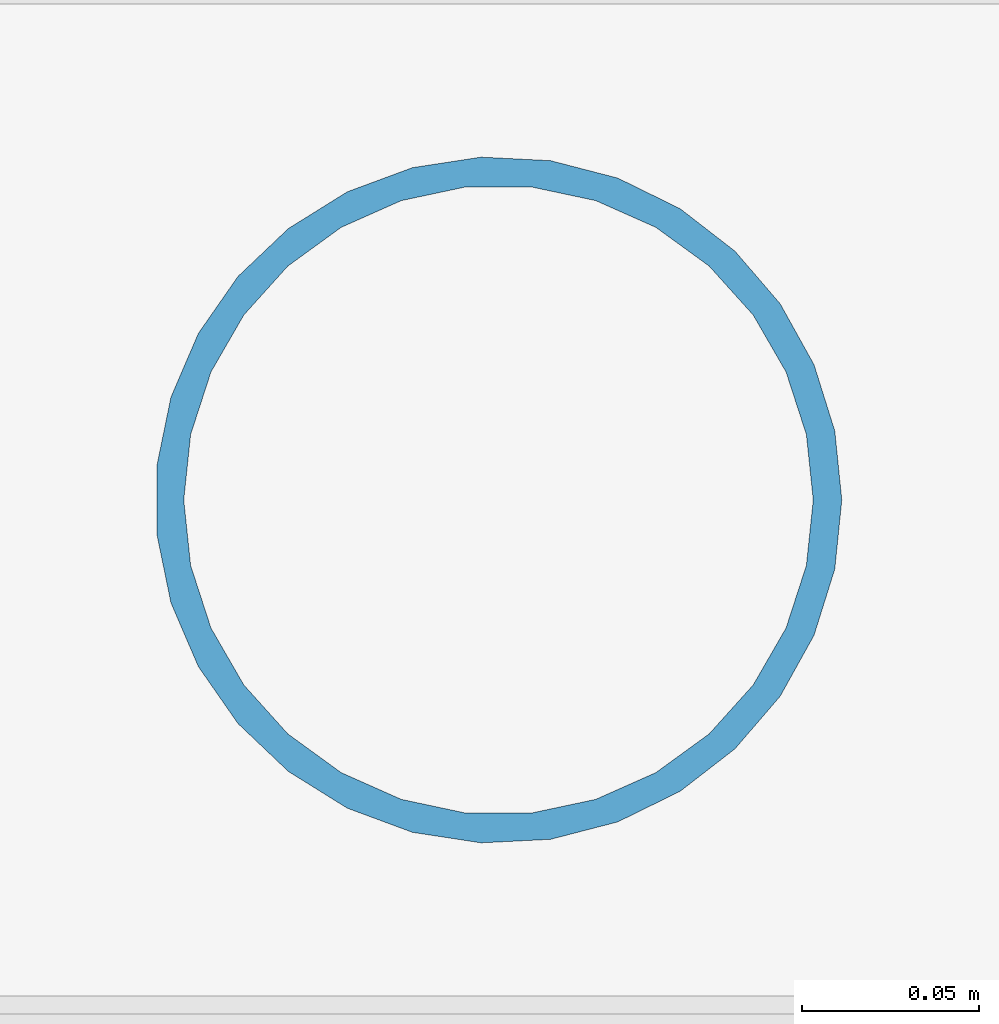
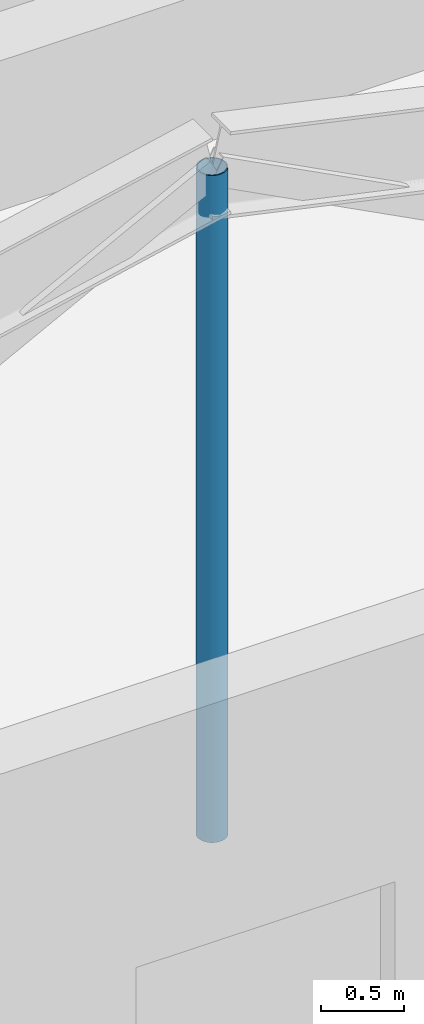
# One storey, part 16 of 105: 1 member.
"""IFC4 building model written with IfcOpenShell, lengths in metres."""

from ifc_helpers import new_model, si_unit, direction, frame, origin, origin_2d, place, context, subcontext, project, spatial, hollow_circle, extrude, material, material_profile, profile_set, type_object, element, save


model = new_model("IFC4")

# Units and contexts
model_context = context("Model", 3, precision=1e-05, world=origin(), true_north=direction((0.0, 1.0)))
body_context = subcontext(model_context, "Body", "Model", "MODEL_VIEW")
ifc_project = project(units=[si_unit("LENGTHUNIT", "METRE"), si_unit("AREAUNIT", "SQUARE_METRE"), si_unit("VOLUMEUNIT", "CUBIC_METRE"), si_unit("PLANEANGLEUNIT", "RADIAN"), si_unit("MASSUNIT", "GRAM", prefix="KILO")], contexts=[model_context])

# Site, building, storey
site_placement = place(None, origin())
site = spatial("IfcSite", under=ifc_project, at=site_placement, CompositionType="ELEMENT")
building_placement = place(site_placement, origin())
building = spatial("IfcBuilding", under=site, at=building_placement, Name="Pelvatis Terrace Science Centre", CompositionType="ELEMENT")
storey_placement = place(building_placement, frame((0.0, 0.0, 10.199951171875)))
storey = spatial("IfcBuildingStorey", under=building, at=storey_placement, Name="L02", CompositionType="ELEMENT", Elevation=10.199951171875)

# Member
ifc_material = material(Name="Structural steel S355", Category="steel")
ifc_material_profile = material_profile(ifc_material, hollow_circle(Radius=0.096923828125, WallThickness=0.008056640625, at=origin_2d()), Name="CHS 193.7x8.0")
ifc_profile_set = profile_set([ifc_material_profile], Name="Structural steel S355")
member_type = type_object("IfcMemberType", Name="MEM-STR-CHS194", PredefinedType="STRUT", material=ifc_profile_set)
member_placement = place(storey_placement, frame((27.300048828125, 70.800048828125, 3.400146484375), z_axis=(0.0, 0.0, 1.0), x_axis=(1.0, 0.0, 0.0)))
element("IfcMember", 1, at=member_placement, inside=storey, type_object=member_type, Name="Theatre roof truss 1 king strut", PredefinedType="STRUT", context=body_context, shape_type="SweptSolid", body=[
    extrude(hollow_circle(Radius=0.096923828125, WallThickness=0.008056640625, at=origin_2d()), origin(), (0.0, 0.0, 1.0), 4.89990234375),
])

save(model, "model.ifc")
